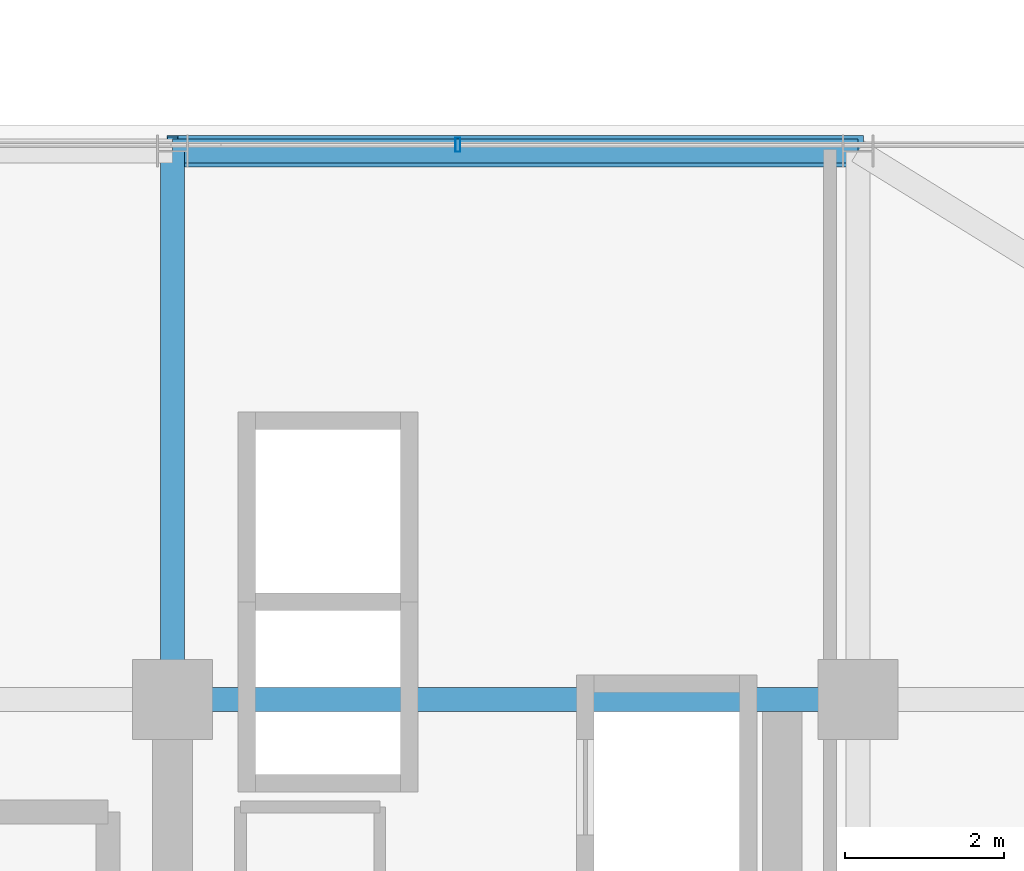
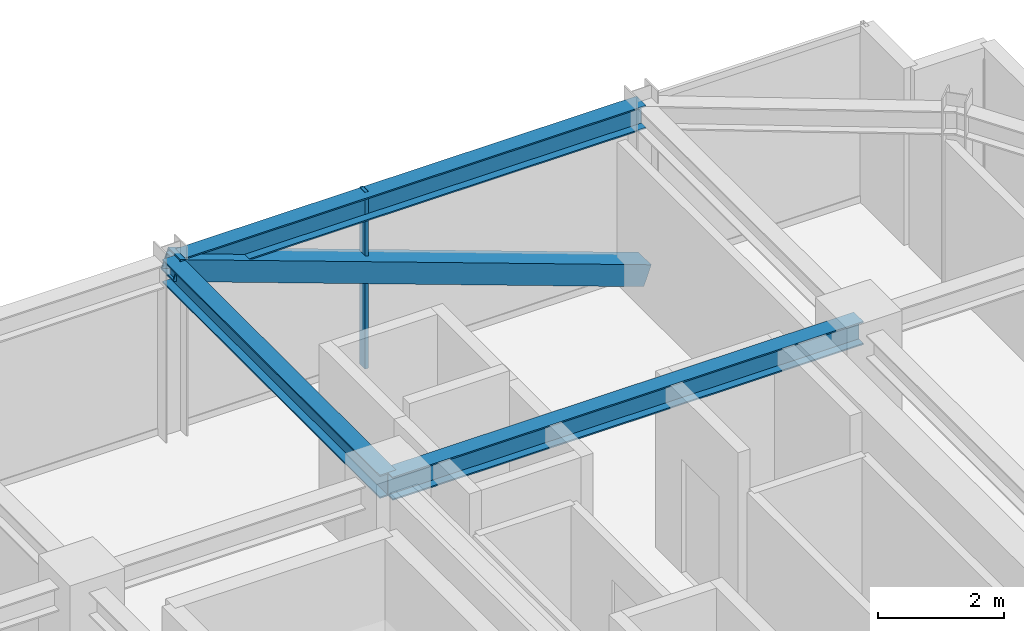
# One storey, part 26 of 42: 3 beams, 2 members, 1 element without a shape of its own.
"""IFC4 building model written with IfcOpenShell, lengths in metres."""

from ifc_helpers import new_model, si_unit, direction, frame, origin, origin_2d, place, context, subcontext, project, spatial, hollow_rectangle, i_section, extrude, source, transform, mapped, material, material_profile, profile_set, type_object, element, aggregate, save


model = new_model("IFC4")

# Units and contexts
model_context = context("Model", 3, precision=1e-05, world=origin(), true_north=direction((0.0, 1.0)))
body_context = subcontext(model_context, "Body", "Model", "MODEL_VIEW")
ifc_project = project(units=[si_unit("LENGTHUNIT", "METRE"), si_unit("AREAUNIT", "SQUARE_METRE"), si_unit("VOLUMEUNIT", "CUBIC_METRE"), si_unit("PLANEANGLEUNIT", "RADIAN"), si_unit("MASSUNIT", "GRAM", prefix="KILO")], contexts=[model_context])

# Site, building, storey
site_placement = place(None, origin())
site = spatial("IfcSite", under=ifc_project, at=site_placement, CompositionType="ELEMENT")
building_placement = place(site_placement, origin())
building = spatial("IfcBuilding", under=site, at=building_placement, Name="Nahalor Promenade Grand Hotel", CompositionType="ELEMENT")
storey_placement = place(building_placement, frame((0.0, 0.0, 249.300048828125)))
storey = spatial("IfcBuildingStorey", under=building, at=storey_placement, Name="L64", CompositionType="ELEMENT", Elevation=249.300048828125)

# Beams
ifc_material_1 = material(Name="Steel S355JR", Category="steel")
ifc_material_profile_1 = material_profile(ifc_material_1, i_section(OverallWidth=0.3, OverallDepth=0.45, WebThickness=0.014, FlangeThickness=0.026, at=origin_2d()), Name="HEB 450")
ifc_profile_set_1 = profile_set([ifc_material_profile_1], Name="Steel S355JR")
beam_type_1 = type_object("IfcBeamType", Name="Beam-Spandrel-HEB450", PredefinedType="SPANDREL", material=ifc_profile_set_1)
shared_shape_1 = source(origin(), body_context, "Body", "SweptSolid", [
    extrude(i_section(OverallWidth=0.3, OverallDepth=0.45, WebThickness=0.014, FlangeThickness=0.026, at=origin_2d()), origin(), (0.0, 0.0, 1.0), 8.60009765625),
])
beam_1_placement = place(storey_placement, frame((8.39990234375, 23.8798828125, 3.18505859375), z_axis=(1.0, 0.0, 0.0), x_axis=(0.0, 1.0, 0.0)))
element("IfcBeam", 1, at=beam_1_placement, inside=storey, type_object=beam_type_1, Name="BM-L64-SP-N-4", PredefinedType="SPANDREL", context=body_context, shape_type="MappedRepresentation", body=[
    mapped(shared_shape_1, transform((0.0, 0.0, 0.0), scale=1.0)),
])
ifc_material_profile_2 = material_profile(ifc_material_1, i_section(OverallWidth=0.3, OverallDepth=0.45, WebThickness=0.014, FlangeThickness=0.026, at=origin_2d()), Name="HEB 450")
ifc_profile_set_2 = profile_set([ifc_material_profile_2], Name="Steel S355JR")
beam_type_2 = type_object("IfcBeamType", Name="Beam-Girder-HEB450", PredefinedType="BEAM", material=ifc_profile_set_2)
shared_shape_2 = source(origin(), body_context, "Body", "SweptSolid", [
    extrude(i_section(OverallWidth=0.3, OverallDepth=0.45, WebThickness=0.014, FlangeThickness=0.026, at=origin_2d()), origin(), (0.0, 0.0, 1.0), 6.8798828125),
])
beam_2_placement = place(storey_placement, frame((8.39990234375, 17.0, 3.18505859375), z_axis=(0.0, 1.0, 0.0), x_axis=(-1.0, 0.0, 0.0)))
element("IfcBeam", 2, at=beam_2_placement, inside=storey, type_object=beam_type_2, Name="BM-L64-GY-4-4", PredefinedType="BEAM", context=body_context, shape_type="MappedRepresentation", body=[
    mapped(shared_shape_2, transform((0.0, 0.0, 0.0), scale=1.0)),
])
shared_shape_3 = source(origin(), body_context, "Body", "SweptSolid", [
    extrude(i_section(OverallWidth=0.3, OverallDepth=0.45, WebThickness=0.014, FlangeThickness=0.026, at=origin_2d()), origin(), (0.0, 0.0, 1.0), 8.60009765625),
])
beam_3_placement = place(storey_placement, frame((8.39990234375, 17.0, 3.18505859375), z_axis=(1.0, 0.0, 0.0), x_axis=(0.0, 1.0, 0.0)))
element("IfcBeam", 3, at=beam_3_placement, inside=storey, type_object=beam_type_2, Name="BM-L64-GX-3-5", PredefinedType="BEAM", context=body_context, shape_type="MappedRepresentation", body=[
    mapped(shared_shape_3, transform((0.0, 0.0, 0.0), scale=1.0)),
])

# Member
ifc_material_profile_3 = material_profile(ifc_material_1, hollow_rectangle(XDim=0.4, YDim=0.4, WallThickness=0.022, at=origin_2d()), Name="SHS 400x400x22")
ifc_profile_set_3 = profile_set([ifc_material_profile_3], Name="Steel S355JR")
member_type_1 = type_object("IfcMemberType", Name="Mem-ExoBrace-SHS400", PredefinedType="BRACE", material=ifc_profile_set_3)
shared_shape_4 = source(origin(), body_context, "Body", "SweptSolid", [
    extrude(hollow_rectangle(XDim=0.4, YDim=0.4, WallThickness=0.022, at=origin_2d()), origin(), (0.0, 0.0, 1.0), 9.145263671875),
])
member_1_placement = place(storey_placement, frame((17.0, 23.8798828125, 0.14990234375), z_axis=(-0.940396027132, 0.0, 0.340081331676), x_axis=(0.0, -1.0, 0.0)))
element("IfcMember", 4, at=member_1_placement, inside=storey, type_object=member_type_1, Name="EXO-L64-N-1", PredefinedType="BRACE", context=body_context, shape_type="MappedRepresentation", body=[
    mapped(shared_shape_4, transform((0.0, 0.0, 0.0), scale=1.0)),
])

# Curtain wall, member
ifc_material_2 = material(Name="Anodised Bronze Aluminium EN AW-6063 T6", Category="aluminium")
curtain_wall_type = type_object("IfcCurtainWallType", Name="CW2 Typical Hotel Flush Bronze Unitised Curtain Wall", PredefinedType="USERDEFINED", material=ifc_material_2)
curtain_wall_placement = place(storey_placement, origin())
curtain_wall = element("IfcCurtainWall", 5, at=curtain_wall_placement, inside=storey, type_object=curtain_wall_type, Name="L64 Curtain Wall CW-L64-N-3", ObjectType="UNITISED_CURTAIN_WALL", PredefinedType="USERDEFINED")
ifc_material_profile_4 = material_profile(ifc_material_2, hollow_rectangle(XDim=0.065, YDim=0.18, WallThickness=0.004, at=origin_2d()), Name="CWM 65x180x4")
ifc_profile_set_4 = profile_set([ifc_material_profile_4], Name="Anodised Bronze Aluminium EN AW-6063 T6")
member_type_2 = type_object("IfcMemberType", Name="CWM2 Typical Bronze Mullion 65x180", PredefinedType="MULLION", material=ifc_profile_set_4)
shared_shape_5 = source(origin(), body_context, "Body", "SweptSolid", [
    extrude(hollow_rectangle(XDim=0.065, YDim=0.18, WallThickness=0.004, at=origin_2d()), origin(), (0.0, 0.0, 1.0), 3.409912109375),
])
member_2_placement = place(storey_placement, frame((11.97998046875, 23.9599609375, 0.0), z_axis=(0.0, 0.0, 1.0), x_axis=(1.0, 0.0, 0.0)))
member_2 = element("IfcMember", 6, at=member_2_placement, type_object=member_type_2, Name="CW-L64-N-3 Mullion 1", PredefinedType="MULLION", context=body_context, shape_type="MappedRepresentation", body=[
    mapped(shared_shape_5, transform((0.0, 0.0, 0.0), scale=1.0)),
])
aggregate(curtain_wall, [member_2])

save(model, "model.ifc")
